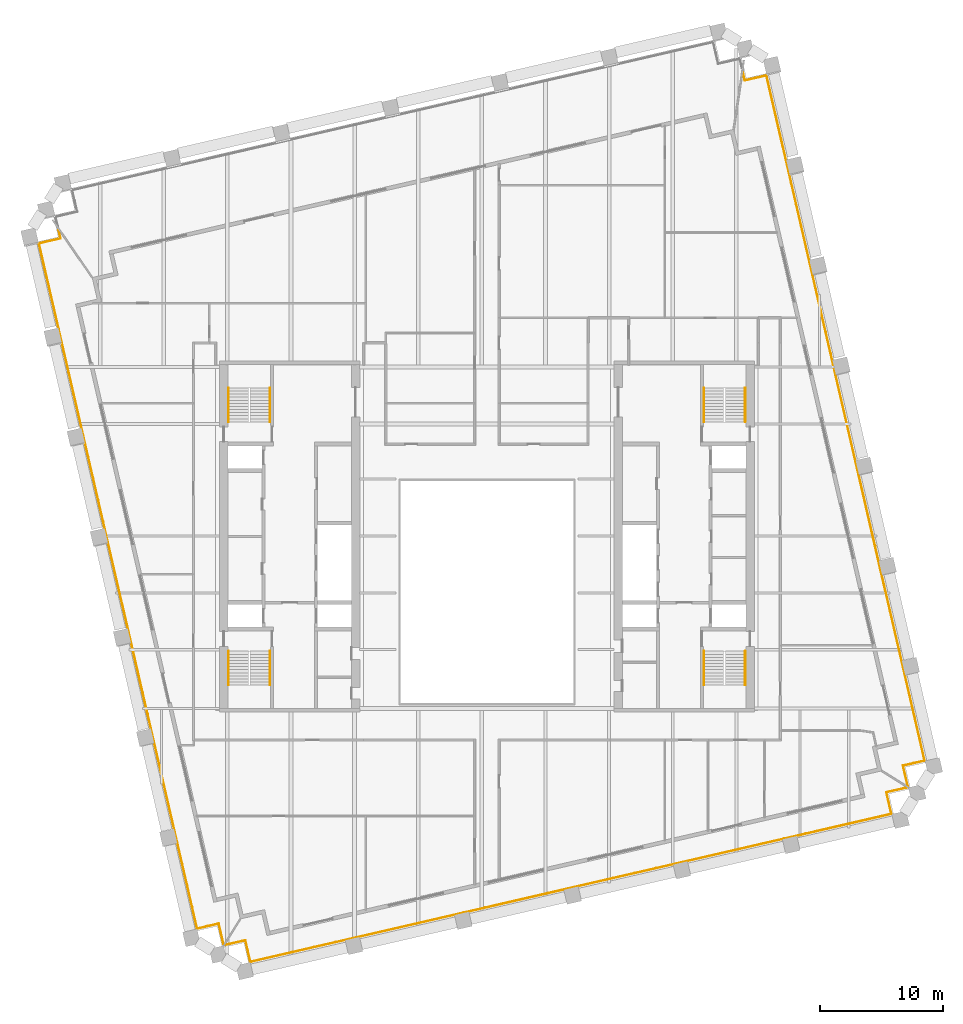
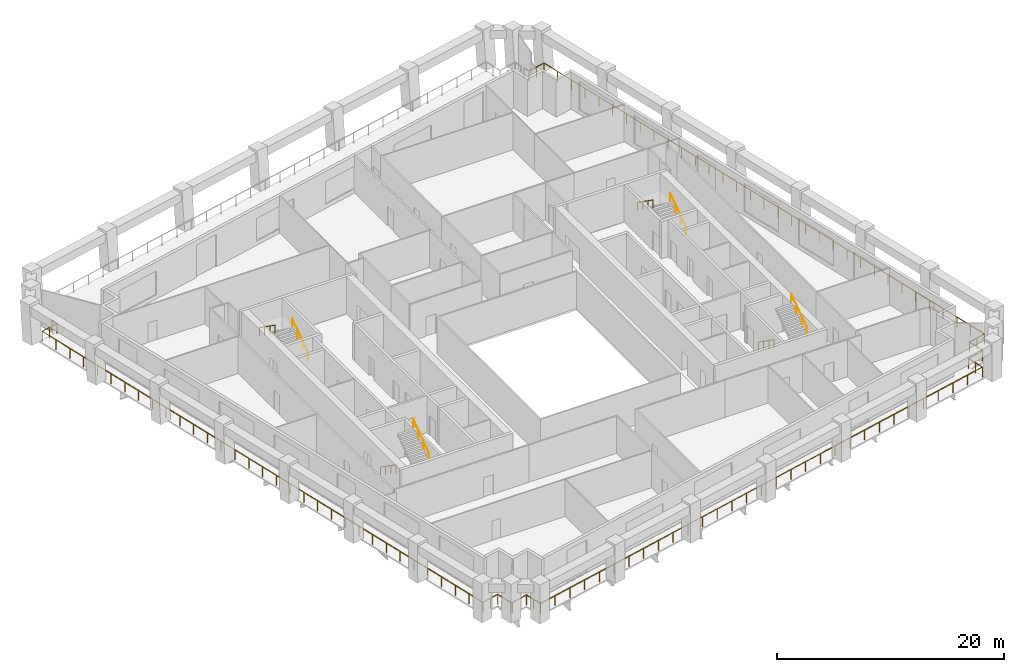
# One storey, part 10 of 11: 11 railings.
"""IFC4 building model written with IfcOpenShell, lengths in metres."""

from ifc_helpers import new_model, si_unit, direction, frame, origin, origin_2d, place, context, subcontext, project, spatial, circle, extrude, material, type_object, element, save


model = new_model("IFC4")

# Units and contexts
model_context = context("Model", 3, precision=1e-05, world=origin(), true_north=direction((0.0, 1.0)))
body_context = subcontext(model_context, "Body", "Model", "MODEL_VIEW")
ifc_project = project(units=[si_unit("LENGTHUNIT", "METRE"), si_unit("AREAUNIT", "SQUARE_METRE"), si_unit("VOLUMEUNIT", "CUBIC_METRE"), si_unit("PLANEANGLEUNIT", "RADIAN"), si_unit("MASSUNIT", "GRAM", prefix="KILO")], contexts=[model_context])

# Site, building, storey
site_placement = place(None, origin())
site = spatial("IfcSite", under=ifc_project, at=site_placement, CompositionType="ELEMENT")
building_placement = place(site_placement, origin())
building = spatial("IfcBuilding", under=site, at=building_placement, Name="Ogive Exchange Tower", CompositionType="ELEMENT")
storey_placement = place(building_placement, frame((0.0, 0.0, 209.39990234375)))
storey = spatial("IfcBuildingStorey", under=building, at=storey_placement, Name="L46", CompositionType="ELEMENT", Elevation=209.39990234375)

# Railings
ifc_material_1 = material(Name="Stainless steel 316", Category="steel")
railing_type_1 = type_object("IfcRailingType", Name="Guard 1100 stainless steel and glass", PredefinedType="GUARDRAIL", material=ifc_material_1)
railing_1_placement = place(storey_placement, frame((34.067138671875, -8.864013671875, -0.0498046875)))
element("IfcRailing", 1, at=railing_1_placement, inside=storey, type_object=railing_type_1, Name="Loggia guard 1", PredefinedType="GUARDRAIL", context=body_context, shape_type="SweptSolid", body=[
    extrude(circle(Radius=0.02392578125, at=origin_2d()), frame((0.0, 0.0, 1.076171875), z_axis=(-0.974364690374, -0.224974332206, 0.0), x_axis=(0.224974332206, -0.974364690374, 0.0)), (0.0, 0.0, 1.0), 1.7080078125),
    extrude(circle(Radius=0.02392578125, at=origin_2d()), frame((-1.664306640625, -0.38427734375, 1.076171875), z_axis=(0.224879318197, -0.974386623598, 0.0), x_axis=(0.974386623598, 0.224879318197, 0.0)), (0.0, 0.0, 1.0), 1.800048828125),
    extrude(circle(Radius=0.02392578125, at=origin_2d()), frame((-1.259521484375, -2.13818359375, 1.076171875), z_axis=(-0.97436998541, -0.224951398156, 0.0), x_axis=(0.224951398156, -0.97436998541, 0.0)), (0.0, 0.0, 1.0), 53.360107421875),
    extrude(circle(Radius=0.02392578125, at=origin_2d()), frame((-53.251953125, -14.1416015625, 1.076171875), z_axis=(-0.224879318197, 0.974386623598, 0.0), x_axis=(-0.974386623598, -0.224879318197, 0.0)), (0.0, 0.0, 1.0), 1.800048828125),
    extrude(circle(Radius=0.02392578125, at=origin_2d()), frame((-53.65673828125, -12.3876953125, 1.076171875), z_axis=(-0.974364690374, -0.224974332206, 0.0), x_axis=(0.224974332206, -0.974364690374, 0.0)), (0.0, 0.0, 1.0), 1.7080078125),
    extrude(circle(Radius=0.02099609375, at=origin_2d()), origin(), (0.0, 0.0, 1.0), 1.052001953125),
    extrude(circle(Radius=0.02099609375, at=origin_2d()), frame((-1.664306640625, -0.38427734375, 0.0)), (0.0, 0.0, 1.0), 1.052001953125),
    extrude(circle(Radius=0.02099609375, at=origin_2d()), frame((-1.4619140625, -1.26123046875, 0.0)), (0.0, 0.0, 1.0), 1.052001953125),
    extrude(circle(Radius=0.02099609375, at=origin_2d()), frame((-1.259521484375, -2.13818359375, 0.0)), (0.0, 0.0, 1.0), 1.052001953125),
    extrude(circle(Radius=0.02099609375, at=origin_2d()), frame((-2.99267578125, -2.538330078125, 0.0)), (0.0, 0.0, 1.0), 1.052001953125),
    extrude(circle(Radius=0.02099609375, at=origin_2d()), frame((-4.7255859375, -2.9384765625, 0.0)), (0.0, 0.0, 1.0), 1.052001953125),
    extrude(circle(Radius=0.02099609375, at=origin_2d()), frame((-6.458740234375, -3.338623046875, 0.0)), (0.0, 0.0, 1.0), 1.052001953125),
    extrude(circle(Radius=0.02099609375, at=origin_2d()), frame((-8.19189453125, -3.738525390625, 0.0)), (0.0, 0.0, 1.0), 1.052001953125),
    extrude(circle(Radius=0.02099609375, at=origin_2d()), frame((-9.9248046875, -4.138671875, 0.0)), (0.0, 0.0, 1.0), 1.052001953125),
    extrude(circle(Radius=0.02099609375, at=origin_2d()), frame((-11.657958984375, -4.538818359375, 0.0)), (0.0, 0.0, 1.0), 1.052001953125),
    extrude(circle(Radius=0.02099609375, at=origin_2d()), frame((-13.39111328125, -4.93896484375, 0.0)), (0.0, 0.0, 1.0), 1.052001953125),
    extrude(circle(Radius=0.02099609375, at=origin_2d()), frame((-15.124267578125, -5.339111328125, 0.0)), (0.0, 0.0, 1.0), 1.052001953125),
    extrude(circle(Radius=0.02099609375, at=origin_2d()), frame((-16.857177734375, -5.7392578125, 0.0)), (0.0, 0.0, 1.0), 1.052001953125),
    extrude(circle(Radius=0.02099609375, at=origin_2d()), frame((-18.59033203125, -6.139404296875, 0.0)), (0.0, 0.0, 1.0), 1.052001953125),
    extrude(circle(Radius=0.02099609375, at=origin_2d()), frame((-20.323486328125, -6.53955078125, 0.0)), (0.0, 0.0, 1.0), 1.052001953125),
    extrude(circle(Radius=0.02099609375, at=origin_2d()), frame((-22.056396484375, -6.939453125, 0.0)), (0.0, 0.0, 1.0), 1.052001953125),
    extrude(circle(Radius=0.02099609375, at=origin_2d()), frame((-23.78955078125, -7.339599609375, 0.0)), (0.0, 0.0, 1.0), 1.052001953125),
    extrude(circle(Radius=0.02099609375, at=origin_2d()), frame((-25.522705078125, -7.73974609375, 0.0)), (0.0, 0.0, 1.0), 1.052001953125),
    extrude(circle(Radius=0.02099609375, at=origin_2d()), frame((-27.255859375, -8.139892578125, 0.0)), (0.0, 0.0, 1.0), 1.052001953125),
    extrude(circle(Radius=0.02099609375, at=origin_2d()), frame((-28.98876953125, -8.5400390625, 0.0)), (0.0, 0.0, 1.0), 1.052001953125),
    extrude(circle(Radius=0.02099609375, at=origin_2d()), frame((-30.721923828125, -8.940185546875, 0.0)), (0.0, 0.0, 1.0), 1.052001953125),
    extrude(circle(Radius=0.02099609375, at=origin_2d()), frame((-32.455078125, -9.34033203125, 0.0)), (0.0, 0.0, 1.0), 1.052001953125),
    extrude(circle(Radius=0.02099609375, at=origin_2d()), frame((-34.18798828125, -9.740234375, 0.0)), (0.0, 0.0, 1.0), 1.052001953125),
    extrude(circle(Radius=0.02099609375, at=origin_2d()), frame((-35.921142578125, -10.140380859375, 0.0)), (0.0, 0.0, 1.0), 1.052001953125),
    extrude(circle(Radius=0.02099609375, at=origin_2d()), frame((-37.654296875, -10.54052734375, 0.0)), (0.0, 0.0, 1.0), 1.052001953125),
    extrude(circle(Radius=0.02099609375, at=origin_2d()), frame((-39.38720703125, -10.940673828125, 0.0)), (0.0, 0.0, 1.0), 1.052001953125),
    extrude(circle(Radius=0.02099609375, at=origin_2d()), frame((-41.120361328125, -11.3408203125, 0.0)), (0.0, 0.0, 1.0), 1.052001953125),
    extrude(circle(Radius=0.02099609375, at=origin_2d()), frame((-42.853515625, -11.740966796875, 0.0)), (0.0, 0.0, 1.0), 1.052001953125),
    extrude(circle(Radius=0.02099609375, at=origin_2d()), frame((-44.58642578125, -12.14111328125, 0.0)), (0.0, 0.0, 1.0), 1.052001953125),
    extrude(circle(Radius=0.02099609375, at=origin_2d()), frame((-46.319580078125, -12.541259765625, 0.0)), (0.0, 0.0, 1.0), 1.052001953125),
    extrude(circle(Radius=0.02099609375, at=origin_2d()), frame((-48.052734375, -12.941162109375, 0.0)), (0.0, 0.0, 1.0), 1.052001953125),
    extrude(circle(Radius=0.02099609375, at=origin_2d()), frame((-49.785888671875, -13.34130859375, 0.0)), (0.0, 0.0, 1.0), 1.052001953125),
    extrude(circle(Radius=0.02099609375, at=origin_2d()), frame((-51.518798828125, -13.741455078125, 0.0)), (0.0, 0.0, 1.0), 1.052001953125),
    extrude(circle(Radius=0.02099609375, at=origin_2d()), frame((-53.251953125, -14.1416015625, 0.0)), (0.0, 0.0, 1.0), 1.052001953125),
    extrude(circle(Radius=0.02099609375, at=origin_2d()), frame((-53.454345703125, -13.2646484375, 0.0)), (0.0, 0.0, 1.0), 1.052001953125),
    extrude(circle(Radius=0.02099609375, at=origin_2d()), frame((-53.65673828125, -12.3876953125, 0.0)), (0.0, 0.0, 1.0), 1.052001953125),
    extrude(circle(Radius=0.02099609375, at=origin_2d()), frame((-55.321044921875, -12.77197265625, 0.0)), (0.0, 0.0, 1.0), 1.052001953125),
])
railing_2_placement = place(storey_placement, frame((-21.364013671875, -21.567138671875, -0.0498046875)))
element("IfcRailing", 2, at=railing_2_placement, inside=storey, type_object=railing_type_1, Name="Loggia guard 2", PredefinedType="GUARDRAIL", context=body_context, shape_type="SweptSolid", body=[
    extrude(circle(Radius=0.02392578125, at=origin_2d()), frame((0.0, 0.0, 1.076171875), z_axis=(-0.224974332206, 0.974364690374, 0.0), x_axis=(-0.974364690374, -0.224974332206, 0.0)), (0.0, 0.0, 1.0), 1.7080078125),
    extrude(circle(Radius=0.02392578125, at=origin_2d()), frame((-0.38427734375, 1.664306640625, 1.076171875), z_axis=(-0.974386623598, -0.224879318197, 0.0), x_axis=(0.224879318197, -0.974386623598, 0.0)), (0.0, 0.0, 1.0), 1.800048828125),
    extrude(circle(Radius=0.02392578125, at=origin_2d()), frame((-2.13818359375, 1.259521484375, 1.076171875), z_axis=(-0.224950470374, 0.974370199605, 0.0), x_axis=(-0.974370199605, -0.224950470374, 0.0)), (0.0, 0.0, 1.0), 57.04052734375),
    extrude(circle(Radius=0.02392578125, at=origin_2d()), frame((-14.969482421875, 56.838134765625, 1.076171875), z_axis=(0.974386623598, 0.224879318197, 0.0), x_axis=(-0.224879318197, 0.974386623598, 0.0)), (0.0, 0.0, 1.0), 1.800048828125),
    extrude(circle(Radius=0.02392578125, at=origin_2d()), frame((-13.215576171875, 57.242919921875, 1.076171875), z_axis=(-0.225151238438, 0.974323826984, 0.0), x_axis=(-0.974323826984, -0.225151238438, 0.0)), (0.0, 0.0, 1.0), 0.67236328125),
    extrude(circle(Radius=0.02099609375, at=origin_2d()), origin(), (0.0, 0.0, 1.0), 1.052001953125),
    extrude(circle(Radius=0.02099609375, at=origin_2d()), frame((-0.38427734375, 1.664306640625, 0.0)), (0.0, 0.0, 1.0), 1.052001953125),
    extrude(circle(Radius=0.02099609375, at=origin_2d()), frame((-1.26123046875, 1.4619140625, 0.0)), (0.0, 0.0, 1.0), 1.052001953125),
    extrude(circle(Radius=0.02099609375, at=origin_2d()), frame((-2.13818359375, 1.259521484375, 0.0)), (0.0, 0.0, 1.0), 1.052001953125),
    extrude(circle(Radius=0.02099609375, at=origin_2d()), frame((-2.5390625, 2.996337890625, 0.0)), (0.0, 0.0, 1.0), 1.052001953125),
    extrude(circle(Radius=0.02099609375, at=origin_2d()), frame((-2.940185546875, 4.733154296875, 0.0)), (0.0, 0.0, 1.0), 1.052001953125),
    extrude(circle(Radius=0.02099609375, at=origin_2d()), frame((-3.341064453125, 6.469970703125, 0.0)), (0.0, 0.0, 1.0), 1.052001953125),
    extrude(circle(Radius=0.02099609375, at=origin_2d()), frame((-3.7421875, 8.206787109375, 0.0)), (0.0, 0.0, 1.0), 1.052001953125),
    extrude(circle(Radius=0.02099609375, at=origin_2d()), frame((-4.14306640625, 9.943603515625, 0.0)), (0.0, 0.0, 1.0), 1.052001953125),
    extrude(circle(Radius=0.02099609375, at=origin_2d()), frame((-4.5439453125, 11.680419921875, 0.0)), (0.0, 0.0, 1.0), 1.052001953125),
    extrude(circle(Radius=0.02099609375, at=origin_2d()), frame((-4.945068359375, 13.417236328125, 0.0)), (0.0, 0.0, 1.0), 1.052001953125),
    extrude(circle(Radius=0.02099609375, at=origin_2d()), frame((-5.345947265625, 15.154296875, 0.0)), (0.0, 0.0, 1.0), 1.052001953125),
    extrude(circle(Radius=0.02099609375, at=origin_2d()), frame((-5.7470703125, 16.89111328125, 0.0)), (0.0, 0.0, 1.0), 1.052001953125),
    extrude(circle(Radius=0.02099609375, at=origin_2d()), frame((-6.14794921875, 18.6279296875, 0.0)), (0.0, 0.0, 1.0), 1.052001953125),
    extrude(circle(Radius=0.02099609375, at=origin_2d()), frame((-6.548828125, 20.36474609375, 0.0)), (0.0, 0.0, 1.0), 1.052001953125),
    extrude(circle(Radius=0.02099609375, at=origin_2d()), frame((-6.949951171875, 22.1015625, 0.0)), (0.0, 0.0, 1.0), 1.052001953125),
    extrude(circle(Radius=0.02099609375, at=origin_2d()), frame((-7.350830078125, 23.83837890625, 0.0)), (0.0, 0.0, 1.0), 1.052001953125),
    extrude(circle(Radius=0.02099609375, at=origin_2d()), frame((-7.751953125, 25.5751953125, 0.0)), (0.0, 0.0, 1.0), 1.052001953125),
    extrude(circle(Radius=0.02099609375, at=origin_2d()), frame((-8.15283203125, 27.31201171875, 0.0)), (0.0, 0.0, 1.0), 1.052001953125),
    extrude(circle(Radius=0.02099609375, at=origin_2d()), frame((-8.5537109375, 29.048828125, 0.0)), (0.0, 0.0, 1.0), 1.052001953125),
    extrude(circle(Radius=0.02099609375, at=origin_2d()), frame((-8.954833984375, 30.78564453125, 0.0)), (0.0, 0.0, 1.0), 1.052001953125),
    extrude(circle(Radius=0.02099609375, at=origin_2d()), frame((-9.355712890625, 32.5224609375, 0.0)), (0.0, 0.0, 1.0), 1.052001953125),
    extrude(circle(Radius=0.02099609375, at=origin_2d()), frame((-9.7568359375, 34.25927734375, 0.0)), (0.0, 0.0, 1.0), 1.052001953125),
    extrude(circle(Radius=0.02099609375, at=origin_2d()), frame((-10.15771484375, 35.99609375, 0.0)), (0.0, 0.0, 1.0), 1.052001953125),
    extrude(circle(Radius=0.02099609375, at=origin_2d()), frame((-10.558837890625, 37.73291015625, 0.0)), (0.0, 0.0, 1.0), 1.052001953125),
    extrude(circle(Radius=0.02099609375, at=origin_2d()), frame((-10.959716796875, 39.4697265625, 0.0)), (0.0, 0.0, 1.0), 1.052001953125),
    extrude(circle(Radius=0.02099609375, at=origin_2d()), frame((-11.360595703125, 41.20654296875, 0.0)), (0.0, 0.0, 1.0), 1.052001953125),
    extrude(circle(Radius=0.02099609375, at=origin_2d()), frame((-11.76171875, 42.943359375, 0.0)), (0.0, 0.0, 1.0), 1.052001953125),
    extrude(circle(Radius=0.02099609375, at=origin_2d()), frame((-12.16259765625, 44.680419921875, 0.0)), (0.0, 0.0, 1.0), 1.052001953125),
    extrude(circle(Radius=0.02099609375, at=origin_2d()), frame((-12.563720703125, 46.417236328125, 0.0)), (0.0, 0.0, 1.0), 1.052001953125),
    extrude(circle(Radius=0.02099609375, at=origin_2d()), frame((-12.964599609375, 48.154052734375, 0.0)), (0.0, 0.0, 1.0), 1.052001953125),
    extrude(circle(Radius=0.02099609375, at=origin_2d()), frame((-13.365478515625, 49.890869140625, 0.0)), (0.0, 0.0, 1.0), 1.052001953125),
    extrude(circle(Radius=0.02099609375, at=origin_2d()), frame((-13.7666015625, 51.627685546875, 0.0)), (0.0, 0.0, 1.0), 1.052001953125),
    extrude(circle(Radius=0.02099609375, at=origin_2d()), frame((-14.16748046875, 53.364501953125, 0.0)), (0.0, 0.0, 1.0), 1.052001953125),
    extrude(circle(Radius=0.02099609375, at=origin_2d()), frame((-14.568603515625, 55.101318359375, 0.0)), (0.0, 0.0, 1.0), 1.052001953125),
    extrude(circle(Radius=0.02099609375, at=origin_2d()), frame((-14.969482421875, 56.838134765625, 0.0)), (0.0, 0.0, 1.0), 1.052001953125),
    extrude(circle(Radius=0.02099609375, at=origin_2d()), frame((-14.092529296875, 57.04052734375, 0.0)), (0.0, 0.0, 1.0), 1.052001953125),
    extrude(circle(Radius=0.02099609375, at=origin_2d()), frame((-13.215576171875, 57.242919921875, 0.0)), (0.0, 0.0, 1.0), 1.052001953125),
    extrude(circle(Radius=0.02099609375, at=origin_2d()), frame((-13.366943359375, 57.89794921875, 0.0)), (0.0, 0.0, 1.0), 1.052001953125),
])
railing_3_placement = place(storey_placement, frame((20.769287109375, 49.14404296875, -0.0498046875)))
element("IfcRailing", 3, at=railing_3_placement, inside=storey, type_object=railing_type_1, Name="Loggia guard 4", PredefinedType="GUARDRAIL", context=body_context, shape_type="SweptSolid", body=[
    extrude(circle(Radius=0.02392578125, at=origin_2d()), frame((0.0, 0.0, 1.076171875), z_axis=(0.224806458064, -0.974403436166, 0.0), x_axis=(0.974403436166, 0.224806458064, 0.0)), (0.0, 0.0, 1.0), 0.672119140625),
    extrude(circle(Radius=0.02392578125, at=origin_2d()), frame((0.151123046875, -0.655029296875, 1.076171875), z_axis=(0.974356896201, 0.225008086135, 0.0), x_axis=(-0.225008086135, 0.974356896201, 0.0)), (0.0, 0.0, 1.0), 1.800048828125),
    extrude(circle(Radius=0.02392578125, at=origin_2d()), frame((1.905029296875, -0.25, 1.076171875), z_axis=(0.224949532239, -0.97437041619, 0.0), x_axis=(0.97437041619, 0.224949532239, 0.0)), (0.0, 0.0, 1.0), 57.040771484375),
    extrude(circle(Radius=0.02392578125, at=origin_2d()), frame((14.736328125, -55.828857421875, 1.076171875), z_axis=(-0.974386623598, -0.224879318197, 0.0), x_axis=(0.224879318197, -0.974386623598, 0.0)), (0.0, 0.0, 1.0), 1.800048828125),
    extrude(circle(Radius=0.02392578125, at=origin_2d()), frame((12.982421875, -56.233642578125, 1.076171875), z_axis=(0.224974332206, -0.974364690374, 0.0), x_axis=(0.974364690374, 0.224974332206, 0.0)), (0.0, 0.0, 1.0), 1.7080078125),
    extrude(circle(Radius=0.02099609375, at=origin_2d()), origin(), (0.0, 0.0, 1.0), 1.052001953125),
    extrude(circle(Radius=0.02099609375, at=origin_2d()), frame((0.151123046875, -0.655029296875, 0.0)), (0.0, 0.0, 1.0), 1.052001953125),
    extrude(circle(Radius=0.02099609375, at=origin_2d()), frame((1.028076171875, -0.45263671875, 0.0)), (0.0, 0.0, 1.0), 1.052001953125),
    extrude(circle(Radius=0.02099609375, at=origin_2d()), frame((1.905029296875, -0.25, 0.0)), (0.0, 0.0, 1.0), 1.052001953125),
    extrude(circle(Radius=0.02099609375, at=origin_2d()), frame((2.305908203125, -1.98681640625, 0.0)), (0.0, 0.0, 1.0), 1.052001953125),
    extrude(circle(Radius=0.02099609375, at=origin_2d()), frame((2.70703125, -3.7236328125, 0.0)), (0.0, 0.0, 1.0), 1.052001953125),
    extrude(circle(Radius=0.02099609375, at=origin_2d()), frame((3.10791015625, -5.46044921875, 0.0)), (0.0, 0.0, 1.0), 1.052001953125),
    extrude(circle(Radius=0.02099609375, at=origin_2d()), frame((3.509033203125, -7.197265625, 0.0)), (0.0, 0.0, 1.0), 1.052001953125),
    extrude(circle(Radius=0.02099609375, at=origin_2d()), frame((3.909912109375, -8.93408203125, 0.0)), (0.0, 0.0, 1.0), 1.052001953125),
    extrude(circle(Radius=0.02099609375, at=origin_2d()), frame((4.310791015625, -10.671142578125, 0.0)), (0.0, 0.0, 1.0), 1.052001953125),
    extrude(circle(Radius=0.02099609375, at=origin_2d()), frame((4.7119140625, -12.407958984375, 0.0)), (0.0, 0.0, 1.0), 1.052001953125),
    extrude(circle(Radius=0.02099609375, at=origin_2d()), frame((5.11279296875, -14.144775390625, 0.0)), (0.0, 0.0, 1.0), 1.052001953125),
    extrude(circle(Radius=0.02099609375, at=origin_2d()), frame((5.513916015625, -15.881591796875, 0.0)), (0.0, 0.0, 1.0), 1.052001953125),
    extrude(circle(Radius=0.02099609375, at=origin_2d()), frame((5.914794921875, -17.618408203125, 0.0)), (0.0, 0.0, 1.0), 1.052001953125),
    extrude(circle(Radius=0.02099609375, at=origin_2d()), frame((6.315673828125, -19.355224609375, 0.0)), (0.0, 0.0, 1.0), 1.052001953125),
    extrude(circle(Radius=0.02099609375, at=origin_2d()), frame((6.716796875, -21.092041015625, 0.0)), (0.0, 0.0, 1.0), 1.052001953125),
    extrude(circle(Radius=0.02099609375, at=origin_2d()), frame((7.11767578125, -22.828857421875, 0.0)), (0.0, 0.0, 1.0), 1.052001953125),
    extrude(circle(Radius=0.02099609375, at=origin_2d()), frame((7.518798828125, -24.565673828125, 0.0)), (0.0, 0.0, 1.0), 1.052001953125),
    extrude(circle(Radius=0.02099609375, at=origin_2d()), frame((7.919677734375, -26.302490234375, 0.0)), (0.0, 0.0, 1.0), 1.052001953125),
    extrude(circle(Radius=0.02099609375, at=origin_2d()), frame((8.32080078125, -28.03955078125, 0.0)), (0.0, 0.0, 1.0), 1.052001953125),
    extrude(circle(Radius=0.02099609375, at=origin_2d()), frame((8.7216796875, -29.7763671875, 0.0)), (0.0, 0.0, 1.0), 1.052001953125),
    extrude(circle(Radius=0.02099609375, at=origin_2d()), frame((9.12255859375, -31.51318359375, 0.0)), (0.0, 0.0, 1.0), 1.052001953125),
    extrude(circle(Radius=0.02099609375, at=origin_2d()), frame((9.523681640625, -33.25, 0.0)), (0.0, 0.0, 1.0), 1.052001953125),
    extrude(circle(Radius=0.02099609375, at=origin_2d()), frame((9.924560546875, -34.98681640625, 0.0)), (0.0, 0.0, 1.0), 1.052001953125),
    extrude(circle(Radius=0.02099609375, at=origin_2d()), frame((10.32568359375, -36.7236328125, 0.0)), (0.0, 0.0, 1.0), 1.052001953125),
    extrude(circle(Radius=0.02099609375, at=origin_2d()), frame((10.7265625, -38.46044921875, 0.0)), (0.0, 0.0, 1.0), 1.052001953125),
    extrude(circle(Radius=0.02099609375, at=origin_2d()), frame((11.12744140625, -40.197265625, 0.0)), (0.0, 0.0, 1.0), 1.052001953125),
    extrude(circle(Radius=0.02099609375, at=origin_2d()), frame((11.528564453125, -41.93408203125, 0.0)), (0.0, 0.0, 1.0), 1.052001953125),
    extrude(circle(Radius=0.02099609375, at=origin_2d()), frame((11.929443359375, -43.6708984375, 0.0)), (0.0, 0.0, 1.0), 1.052001953125),
    extrude(circle(Radius=0.02099609375, at=origin_2d()), frame((12.33056640625, -45.40771484375, 0.0)), (0.0, 0.0, 1.0), 1.052001953125),
    extrude(circle(Radius=0.02099609375, at=origin_2d()), frame((12.7314453125, -47.144775390625, 0.0)), (0.0, 0.0, 1.0), 1.052001953125),
    extrude(circle(Radius=0.02099609375, at=origin_2d()), frame((13.13232421875, -48.881591796875, 0.0)), (0.0, 0.0, 1.0), 1.052001953125),
    extrude(circle(Radius=0.02099609375, at=origin_2d()), frame((13.533447265625, -50.618408203125, 0.0)), (0.0, 0.0, 1.0), 1.052001953125),
    extrude(circle(Radius=0.02099609375, at=origin_2d()), frame((13.934326171875, -52.355224609375, 0.0)), (0.0, 0.0, 1.0), 1.052001953125),
    extrude(circle(Radius=0.02099609375, at=origin_2d()), frame((14.33544921875, -54.092041015625, 0.0)), (0.0, 0.0, 1.0), 1.052001953125),
    extrude(circle(Radius=0.02099609375, at=origin_2d()), frame((14.736328125, -55.828857421875, 0.0)), (0.0, 0.0, 1.0), 1.052001953125),
    extrude(circle(Radius=0.02099609375, at=origin_2d()), frame((13.859375, -56.03125, 0.0)), (0.0, 0.0, 1.0), 1.052001953125),
    extrude(circle(Radius=0.02099609375, at=origin_2d()), frame((12.982421875, -56.233642578125, 0.0)), (0.0, 0.0, 1.0), 1.052001953125),
    extrude(circle(Radius=0.02099609375, at=origin_2d()), frame((13.36669921875, -57.89794921875, 0.0)), (0.0, 0.0, 1.0), 1.052001953125),
])
ifc_material_2 = material(Name="Stainless steel", Category="steel")
railing_type_2 = type_object("IfcRailingType", Name="Stair handrail 900", PredefinedType="HANDRAIL", material=ifc_material_2)
railing_4_placement = place(storey_placement, frame((-20.949951171875, 2.199951171875, 0.175048828125)))
element("IfcRailing", 4, at=railing_4_placement, inside=storey, type_object=railing_type_2, Name="L46 ST1 stair handrail 1", PredefinedType="HANDRAIL", context=body_context, shape_type="SweptSolid", body=[
    extrude(circle(Radius=0.02392578125, at=origin_2d()), frame((0.0, 0.0, 0.8759765625), z_axis=(0.0, -0.819225086817, 0.573472106672), x_axis=(1.0, 0.0, 0.0)), (0.0, 0.0, 1.0), 3.35693359375),
    extrude(circle(Radius=0.02099609375, at=origin_2d()), origin(), (0.0, 0.0, 1.0), 0.851806640625),
    extrude(circle(Radius=0.02099609375, at=origin_2d()), frame((0.0, -0.916748046875, 0.6416015625)), (0.0, 0.0, 1.0), 0.851806640625),
    extrude(circle(Radius=0.02099609375, at=origin_2d()), frame((0.0, -1.833251953125, 1.283447265625)), (0.0, 0.0, 1.0), 0.851806640625),
    extrude(circle(Radius=0.02099609375, at=origin_2d()), frame((0.0, -2.75, 1.925048828125)), (0.0, 0.0, 1.0), 0.851806640625),
])
for number, where, name in (
    (5, (-17.60009765625, -0.550048828125, 2.275146484375), "L46 ST1 stair handrail 2"),
    (6, (-17.60009765625, 20.800048828125, 0.175048828125), "L46 ST2 stair handrail 1"),
):
    element("IfcRailing", number, at=place(storey_placement, frame(where)), inside=storey, type_object=railing_type_2, Name=name, PredefinedType="HANDRAIL", context=body_context, shape_type="SweptSolid", body=[
        extrude(circle(Radius=0.02392578125, at=origin_2d()), frame((0.0, 0.0, 0.8759765625), z_axis=(0.0, 0.819225086817, 0.573472106672), x_axis=(-1.0, 0.0, 0.0)), (0.0, 0.0, 1.0), 3.35693359375),
        extrude(circle(Radius=0.02099609375, at=origin_2d()), origin(), (0.0, 0.0, 1.0), 0.851806640625),
        extrude(circle(Radius=0.02099609375, at=origin_2d()), frame((0.0, 0.916748046875, 0.6416015625)), (0.0, 0.0, 1.0), 0.851806640625),
        extrude(circle(Radius=0.02099609375, at=origin_2d()), frame((0.0, 1.833251953125, 1.283447265625)), (0.0, 0.0, 1.0), 0.851806640625),
        extrude(circle(Radius=0.02099609375, at=origin_2d()), frame((0.0, 2.75, 1.925048828125)), (0.0, 0.0, 1.0), 0.851806640625),
    ])
for number, where, name in (
    (7, (-20.949951171875, 23.550048828125, 2.275146484375), "L46 ST2 stair handrail 2"),
    (8, (17.60009765625, 2.199951171875, 0.175048828125), "L46 ST3 stair handrail 1"),
):
    element("IfcRailing", number, at=place(storey_placement, frame(where)), inside=storey, type_object=railing_type_2, Name=name, PredefinedType="HANDRAIL", context=body_context, shape_type="SweptSolid", body=[
        extrude(circle(Radius=0.02392578125, at=origin_2d()), frame((0.0, 0.0, 0.8759765625), z_axis=(0.0, -0.819225086817, 0.573472106672), x_axis=(1.0, 0.0, 0.0)), (0.0, 0.0, 1.0), 3.35693359375),
        extrude(circle(Radius=0.02099609375, at=origin_2d()), origin(), (0.0, 0.0, 1.0), 0.851806640625),
        extrude(circle(Radius=0.02099609375, at=origin_2d()), frame((0.0, -0.916748046875, 0.6416015625)), (0.0, 0.0, 1.0), 0.851806640625),
        extrude(circle(Radius=0.02099609375, at=origin_2d()), frame((0.0, -1.833251953125, 1.283447265625)), (0.0, 0.0, 1.0), 0.851806640625),
        extrude(circle(Radius=0.02099609375, at=origin_2d()), frame((0.0, -2.75, 1.925048828125)), (0.0, 0.0, 1.0), 0.851806640625),
    ])
for number, where, name in (
    (9, (20.949951171875, -0.550048828125, 2.275146484375), "L46 ST3 stair handrail 2"),
    (10, (20.949951171875, 20.800048828125, 0.175048828125), "L46 ST4 stair handrail 1"),
):
    element("IfcRailing", number, at=place(storey_placement, frame(where)), inside=storey, type_object=railing_type_2, Name=name, PredefinedType="HANDRAIL", context=body_context, shape_type="SweptSolid", body=[
        extrude(circle(Radius=0.02392578125, at=origin_2d()), frame((0.0, 0.0, 0.8759765625), z_axis=(0.0, 0.819225086817, 0.573472106672), x_axis=(-1.0, 0.0, 0.0)), (0.0, 0.0, 1.0), 3.35693359375),
        extrude(circle(Radius=0.02099609375, at=origin_2d()), origin(), (0.0, 0.0, 1.0), 0.851806640625),
        extrude(circle(Radius=0.02099609375, at=origin_2d()), frame((0.0, 0.916748046875, 0.6416015625)), (0.0, 0.0, 1.0), 0.851806640625),
        extrude(circle(Radius=0.02099609375, at=origin_2d()), frame((0.0, 1.833251953125, 1.283447265625)), (0.0, 0.0, 1.0), 0.851806640625),
        extrude(circle(Radius=0.02099609375, at=origin_2d()), frame((0.0, 2.75, 1.925048828125)), (0.0, 0.0, 1.0), 0.851806640625),
    ])
railing_5_placement = place(storey_placement, frame((17.60009765625, 23.550048828125, 2.275146484375)))
element("IfcRailing", 11, at=railing_5_placement, inside=storey, type_object=railing_type_2, Name="L46 ST4 stair handrail 2", PredefinedType="HANDRAIL", context=body_context, shape_type="SweptSolid", body=[
    extrude(circle(Radius=0.02392578125, at=origin_2d()), frame((0.0, 0.0, 0.8759765625), z_axis=(0.0, -0.819225086817, 0.573472106672), x_axis=(1.0, 0.0, 0.0)), (0.0, 0.0, 1.0), 3.35693359375),
    extrude(circle(Radius=0.02099609375, at=origin_2d()), origin(), (0.0, 0.0, 1.0), 0.851806640625),
    extrude(circle(Radius=0.02099609375, at=origin_2d()), frame((0.0, -0.916748046875, 0.6416015625)), (0.0, 0.0, 1.0), 0.851806640625),
    extrude(circle(Radius=0.02099609375, at=origin_2d()), frame((0.0, -1.833251953125, 1.283447265625)), (0.0, 0.0, 1.0), 0.851806640625),
    extrude(circle(Radius=0.02099609375, at=origin_2d()), frame((0.0, -2.75, 1.925048828125)), (0.0, 0.0, 1.0), 0.851806640625),
])

save(model, "model.ifc")
